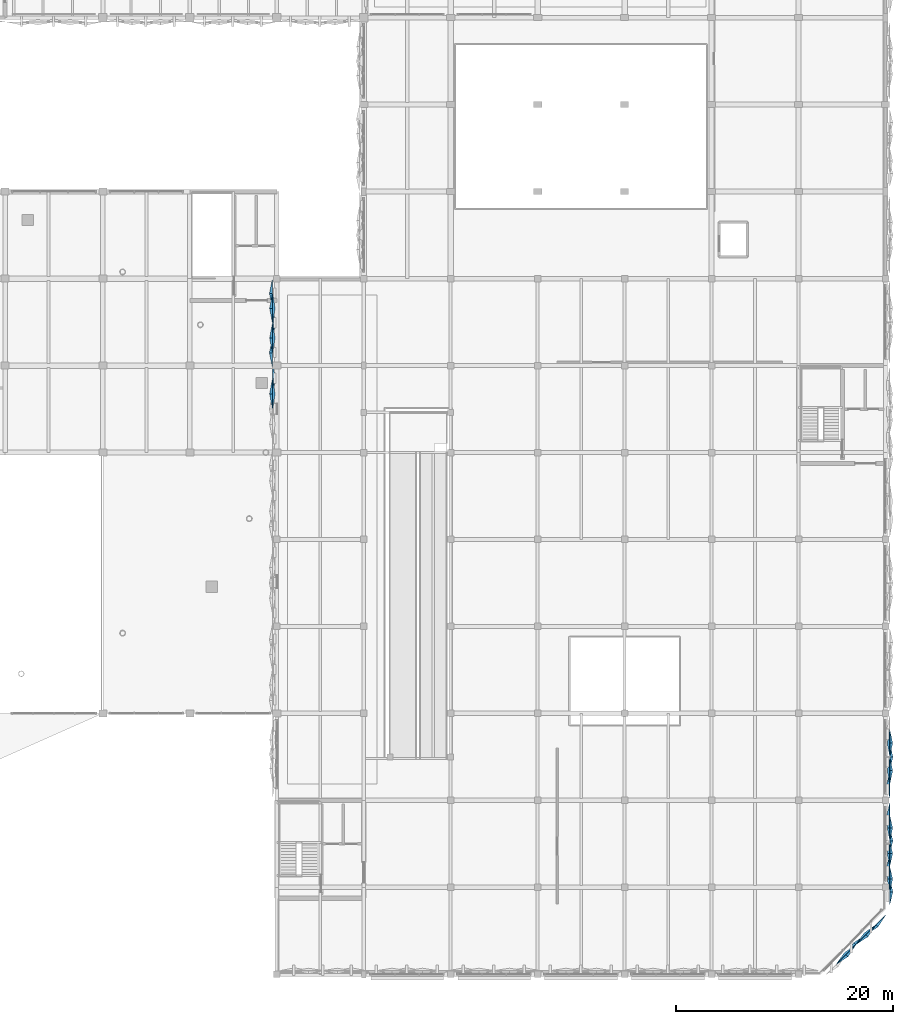
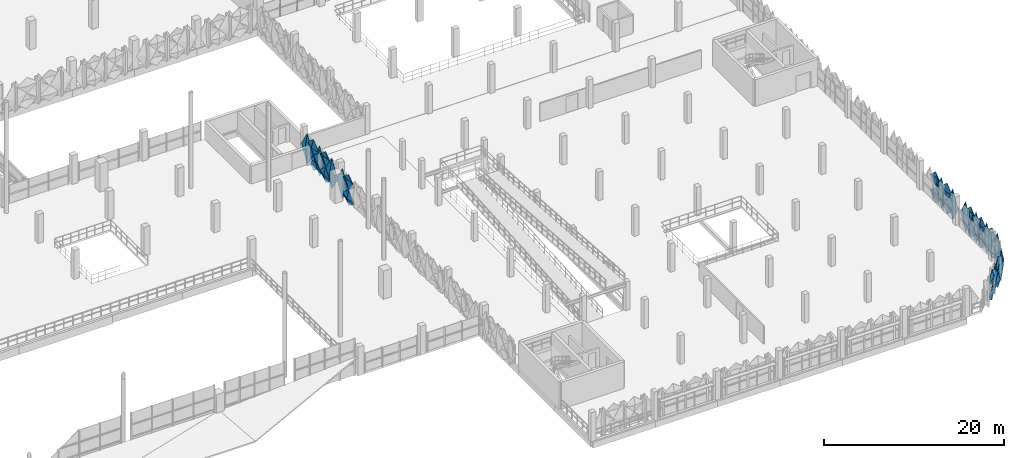
# One storey, part 96 of 123: 32 plates.
"""IFC4 building model written with IfcOpenShell, lengths in metres."""

from ifc_helpers import new_model, si_unit, derived_unit, direction, frame, origin, place, context, subcontext, project, spatial, polygons, material, layer, layer_set, type_object, element, save


model = new_model("IFC4")

# Units and contexts
model_context = context("Model", 3, precision=1e-05, world=origin(), true_north=direction((0.0, 1.0)))
body_context = subcontext(model_context, "Body", "Model", "MODEL_VIEW")
ifc_project = project(units=[si_unit("LENGTHUNIT", "METRE"), si_unit("AREAUNIT", "SQUARE_METRE"), si_unit("VOLUMEUNIT", "CUBIC_METRE"), si_unit("PLANEANGLEUNIT", "RADIAN"), si_unit("MASSUNIT", "GRAM", prefix="KILO"), si_unit("THERMODYNAMICTEMPERATUREUNIT", "KELVIN"), derived_unit("THERMALTRANSMITTANCEUNIT", [(si_unit("POWERUNIT", "WATT"), 1), (si_unit("AREAUNIT", "SQUARE_METRE"), -1), (si_unit("THERMODYNAMICTEMPERATUREUNIT", "KELVIN"), -1)])], contexts=[model_context])

# Site, building, storey
site_placement = place(None, origin())
site = spatial("IfcSite", under=ifc_project, at=site_placement, CompositionType="ELEMENT")
building_placement = place(site_placement, origin())
building = spatial("IfcBuilding", under=site, at=building_placement, Name="Haiyu Intermodal Mobility Hub", CompositionType="ELEMENT")
storey_placement = place(building_placement, frame((0.0, 0.0, 5.60009765625)))
storey = spatial("IfcBuildingStorey", under=building, at=storey_placement, Name="L01", CompositionType="ELEMENT", Elevation=5.60009765625)

# Plates
ifc_material = material(Name="Anodised aluminium 6063-T6", Category="aluminium")
ifc_layer_1 = layer(ifc_material, 0.02001953125)
ifc_layer_set_1 = layer_set([ifc_layer_1], Name="Anodised aluminium 6063-T6")
plate_type_1 = type_object("IfcPlateType", Name="PLT-FC02", PredefinedType="USERDEFINED", material=ifc_layer_set_1)
plate_1_placement = place(storey_placement, origin())
element("IfcPlate", 1, at=plate_1_placement, inside=storey, type_object=plate_type_1, Name="PLT-PYR-1533", ObjectType="FACADE CASSETTE", PredefinedType="USERDEFINED", context=body_context, shape_type="Tessellation", body=[
    polygons([(210.39990234375, 30.625, -0.510009765625), (210.39990234375, 31.780029296875, 1.599853515625), (210.39990234375, 30.625, 3.7099609375), (210.39990234375, 29.469970703125, 1.599853515625), (210.139892578125, 30.625, 1.599853515625), (210.3779296875, 30.625, -0.510009765625), (210.3779296875, 31.780029296875, 1.599853515625), (210.3779296875, 30.625, 3.7099609375), (210.3779296875, 29.469970703125, 1.599853515625), (210.117919921875, 30.625, 1.599853515625)], [[[1, 2, 5]], [[2, 3, 5]], [[3, 4, 5]], [[4, 1, 5]], [[7, 6, 10]], [[8, 7, 10]], [[9, 8, 10]], [[6, 9, 10]], [[1, 6, 7, 2]], [[2, 7, 8, 3]], [[3, 8, 9, 4]], [[4, 9, 6, 1]]], closed=True),
])
ifc_layer_2 = layer(ifc_material, 0.01806640625)
ifc_layer_set_2 = layer_set([ifc_layer_2], Name="Anodised aluminium 6063-T6")
plate_type_2 = type_object("IfcPlateType", Name="PLT-FC03", PredefinedType="USERDEFINED", material=ifc_layer_set_2)
plate_2_placement = place(storey_placement, origin())
element("IfcPlate", 2, at=plate_2_placement, inside=storey, type_object=plate_type_2, Name="PLT-PYR-1462", ObjectType="FACADE CASSETTE", PredefinedType="USERDEFINED", context=body_context, shape_type="Tessellation", body=[
    polygons([(208.199951171875, 19.634033203125, -0.52001953125), (209.10205078125, 20.535888671875, 0.52978515625), (208.199951171875, 19.634033203125, 1.579833984375), (207.297119140625, 18.73095703125, 0.52978515625), (208.383056640625, 19.449951171875, 0.52978515625), (208.18408203125, 19.64892578125, -0.52001953125), (209.0859375, 20.552001953125, 0.52978515625), (208.18408203125, 19.64892578125, 1.579833984375), (207.281005859375, 18.7470703125, 0.52978515625), (208.367919921875, 19.466064453125, 0.52978515625)], [[[1, 2, 5]], [[2, 3, 5]], [[3, 4, 5]], [[4, 1, 5]], [[7, 6, 10]], [[8, 7, 10]], [[9, 8, 10]], [[6, 9, 10]], [[1, 6, 7, 2]], [[2, 7, 8, 3]], [[3, 8, 9, 4]], [[4, 9, 6, 1]]], closed=True),
])
plate_3_placement = place(storey_placement, origin())
element("IfcPlate", 3, at=plate_3_placement, inside=storey, type_object=plate_type_2, Name="PLT-PYR-1524", ObjectType="FACADE CASSETTE", PredefinedType="USERDEFINED", context=body_context, shape_type="Tessellation", body=[
    polygons([(210.39990234375, 23.574951171875, -0.510009765625), (210.39990234375, 24.72998046875, 1.599853515625), (210.39990234375, 23.574951171875, 3.7099609375), (210.39990234375, 22.419921875, 1.599853515625), (210.679931640625, 23.574951171875, 1.599853515625), (210.3779296875, 23.574951171875, -0.510009765625), (210.3779296875, 24.72998046875, 1.599853515625), (210.3779296875, 23.574951171875, 3.7099609375), (210.3779296875, 22.419921875, 1.599853515625), (210.657958984375, 23.574951171875, 1.599853515625)], [[[1, 2, 5]], [[2, 3, 5]], [[3, 4, 5]], [[4, 1, 5]], [[7, 6, 10]], [[8, 7, 10]], [[9, 8, 10]], [[6, 9, 10]], [[1, 6, 7, 2]], [[2, 7, 8, 3]], [[3, 8, 9, 4]], [[4, 9, 6, 1]]], closed=True),
])
plate_4_placement = place(storey_placement, origin())
element("IfcPlate", 4, at=plate_4_placement, inside=storey, type_object=plate_type_2, Name="PLT-PYR-1528", ObjectType="FACADE CASSETTE", PredefinedType="USERDEFINED", context=body_context, shape_type="Tessellation", body=[
    polygons([(210.39990234375, 27.10009765625, -0.52001953125), (210.39990234375, 28.2548828125, 0.52978515625), (210.39990234375, 27.10009765625, 1.579833984375), (210.39990234375, 25.945068359375, 0.52978515625), (210.659912109375, 27.10009765625, 0.52978515625), (210.3779296875, 27.10009765625, -0.52001953125), (210.3779296875, 28.2548828125, 0.52978515625), (210.3779296875, 27.10009765625, 1.579833984375), (210.3779296875, 25.945068359375, 0.52978515625), (210.637939453125, 27.10009765625, 0.52978515625)], [[[1, 2, 5]], [[2, 3, 5]], [[3, 4, 5]], [[4, 1, 5]], [[7, 6, 10]], [[8, 7, 10]], [[9, 8, 10]], [[6, 9, 10]], [[1, 6, 7, 2]], [[2, 7, 8, 3]], [[3, 8, 9, 4]], [[4, 9, 6, 1]]], closed=True),
])
plate_5_placement = place(storey_placement, origin())
element("IfcPlate", 5, at=plate_5_placement, inside=storey, type_object=plate_type_2, Name="PLT-PYR-1535", ObjectType="FACADE CASSETTE", PredefinedType="USERDEFINED", context=body_context, shape_type="Tessellation", body=[
    polygons([(210.39990234375, 34.73291015625, -0.52001953125), (210.39990234375, 35.97998046875, 0.52978515625), (210.39990234375, 34.73291015625, 1.579833984375), (210.39990234375, 33.487060546875, 0.52978515625), (210.659912109375, 34.73291015625, 0.52978515625), (210.3779296875, 34.73291015625, -0.52001953125), (210.3779296875, 35.97998046875, 0.52978515625), (210.3779296875, 34.73291015625, 1.579833984375), (210.3779296875, 33.487060546875, 0.52978515625), (210.637939453125, 34.73291015625, 0.52978515625)], [[[1, 2, 5]], [[2, 3, 5]], [[3, 4, 5]], [[4, 1, 5]], [[7, 6, 10]], [[8, 7, 10]], [[9, 8, 10]], [[6, 9, 10]], [[1, 6, 7, 2]], [[2, 7, 8, 3]], [[3, 8, 9, 4]], [[4, 9, 6, 1]]], closed=True),
])
plate_6_placement = place(storey_placement, origin())
element("IfcPlate", 6, at=plate_6_placement, inside=storey, type_object=plate_type_2, Name="PLT-PYR-1595", ObjectType="FACADE CASSETTE", PredefinedType="USERDEFINED", context=body_context, shape_type="Tessellation", body=[
    polygons([(153.60009765625, 69.39990234375, -0.52001953125), (153.60009765625, 68.02001953125, 0.52978515625), (153.60009765625, 69.39990234375, 1.579833984375), (153.60009765625, 70.780029296875, 0.52978515625), (153.340087890625, 69.39990234375, 0.52978515625), (153.6220703125, 69.39990234375, -0.52001953125), (153.6220703125, 68.02001953125, 0.52978515625), (153.6220703125, 69.39990234375, 1.579833984375), (153.6220703125, 70.780029296875, 0.52978515625), (153.362060546875, 69.39990234375, 0.52978515625)], [[[1, 2, 5]], [[2, 3, 5]], [[3, 4, 5]], [[4, 1, 5]], [[7, 6, 10]], [[8, 7, 10]], [[9, 8, 10]], [[6, 9, 10]], [[1, 6, 7, 2]], [[2, 7, 8, 3]], [[3, 8, 9, 4]], [[4, 9, 6, 1]]], closed=True),
])
plate_7_placement = place(storey_placement, origin())
element("IfcPlate", 7, at=plate_7_placement, inside=storey, type_object=plate_type_2, Name="PLT-PYR-1601", ObjectType="FACADE CASSETTE", PredefinedType="USERDEFINED", context=body_context, shape_type="Tessellation", body=[
    polygons([(153.60009765625, 78.633056640625, -0.510009765625), (153.60009765625, 77.287109375, 1.599853515625), (153.60009765625, 78.633056640625, 3.7099609375), (153.60009765625, 79.97998046875, 1.599853515625), (153.320068359375, 78.633056640625, 1.599853515625), (153.6220703125, 78.633056640625, -0.510009765625), (153.6220703125, 77.287109375, 1.599853515625), (153.6220703125, 78.633056640625, 3.7099609375), (153.6220703125, 79.97998046875, 1.599853515625), (153.342041015625, 78.633056640625, 1.599853515625)], [[[1, 2, 5]], [[2, 3, 5]], [[3, 4, 5]], [[4, 1, 5]], [[7, 6, 10]], [[8, 7, 10]], [[9, 8, 10]], [[6, 9, 10]], [[1, 6, 7, 2]], [[2, 7, 8, 3]], [[3, 8, 9, 4]], [[4, 9, 6, 1]]], closed=True),
])
plate_8_placement = place(storey_placement, origin())
element("IfcPlate", 8, at=plate_8_placement, inside=storey, type_object=plate_type_2, Name="PLT-PYR-1605", ObjectType="FACADE CASSETTE", PredefinedType="USERDEFINED", context=body_context, shape_type="Tessellation", body=[
    polygons([(153.60009765625, 74.532958984375, -0.52001953125), (153.60009765625, 73.18701171875, 0.52978515625), (153.60009765625, 74.532958984375, 1.579833984375), (153.60009765625, 75.8798828125, 0.52978515625), (153.340087890625, 74.532958984375, 0.52978515625), (153.6220703125, 74.532958984375, -0.52001953125), (153.6220703125, 73.18701171875, 0.52978515625), (153.6220703125, 74.532958984375, 1.579833984375), (153.6220703125, 75.8798828125, 0.52978515625), (153.362060546875, 74.532958984375, 0.52978515625)], [[[1, 2, 5]], [[2, 3, 5]], [[3, 4, 5]], [[4, 1, 5]], [[7, 6, 10]], [[8, 7, 10]], [[9, 8, 10]], [[6, 9, 10]], [[1, 6, 7, 2]], [[2, 7, 8, 3]], [[3, 8, 9, 4]], [[4, 9, 6, 1]]], closed=True),
])
ifc_layer_3 = layer(ifc_material, 0.02001953125)
ifc_layer_set_3 = layer_set([ifc_layer_3], Name="Anodised aluminium 6063-T6")
plate_type_3 = type_object("IfcPlateType", Name="PLT-FC04", PredefinedType="USERDEFINED", material=ifc_layer_set_3)
plate_9_placement = place(storey_placement, origin())
element("IfcPlate", 9, at=plate_9_placement, inside=storey, type_object=plate_type_3, Name="PLT-PYR-1459", ObjectType="FACADE CASSETTE", PredefinedType="USERDEFINED", context=body_context, shape_type="Tessellation", body=[
    polygons([(206.365966796875, 17.800048828125, -0.52001953125), (207.26904296875, 18.702880859375, 0.52978515625), (206.365966796875, 17.800048828125, 1.579833984375), (205.464111328125, 16.89794921875, 0.52978515625), (206.2109375, 17.9560546875, 0.52978515625), (206.35107421875, 17.81591796875, -0.52001953125), (207.2529296875, 18.718994140625, 0.52978515625), (206.35107421875, 17.81591796875, 1.579833984375), (205.447998046875, 16.9140625, 0.52978515625), (206.195068359375, 17.971923828125, 0.52978515625)], [[[1, 2, 5]], [[2, 3, 5]], [[3, 4, 5]], [[4, 1, 5]], [[7, 6, 10]], [[8, 7, 10]], [[9, 8, 10]], [[6, 9, 10]], [[1, 6, 7, 2]], [[2, 7, 8, 3]], [[3, 8, 9, 4]], [[4, 9, 6, 1]]], closed=True),
])
plate_10_placement = place(storey_placement, origin())
element("IfcPlate", 10, at=plate_10_placement, inside=storey, type_object=plate_type_3, Name="PLT-PYR-1525", ObjectType="FACADE CASSETTE", PredefinedType="USERDEFINED", context=body_context, shape_type="Tessellation", body=[
    polygons([(210.39990234375, 24.75, -0.52001953125), (210.39990234375, 25.905029296875, 0.52978515625), (210.39990234375, 24.75, 1.579833984375), (210.39990234375, 23.594970703125, 0.52978515625), (210.179931640625, 24.75, 0.52978515625), (210.3779296875, 24.75, -0.52001953125), (210.3779296875, 25.905029296875, 0.52978515625), (210.3779296875, 24.75, 1.579833984375), (210.3779296875, 23.594970703125, 0.52978515625), (210.157958984375, 24.75, 0.52978515625)], [[[1, 2, 5]], [[2, 3, 5]], [[3, 4, 5]], [[4, 1, 5]], [[7, 6, 10]], [[8, 7, 10]], [[9, 8, 10]], [[6, 9, 10]], [[1, 6, 7, 2]], [[2, 7, 8, 3]], [[3, 8, 9, 4]], [[4, 9, 6, 1]]], closed=True),
])
plate_11_placement = place(storey_placement, origin())
element("IfcPlate", 11, at=plate_11_placement, inside=storey, type_object=plate_type_3, Name="PLT-PYR-1531", ObjectType="FACADE CASSETTE", PredefinedType="USERDEFINED", context=body_context, shape_type="Tessellation", body=[
    polygons([(210.39990234375, 29.449951171875, -0.52001953125), (210.39990234375, 30.60498046875, 0.52978515625), (210.39990234375, 29.449951171875, 1.579833984375), (210.39990234375, 28.294921875, 0.52978515625), (210.179931640625, 29.449951171875, 0.52978515625), (210.3779296875, 29.449951171875, -0.52001953125), (210.3779296875, 30.60498046875, 0.52978515625), (210.3779296875, 29.449951171875, 1.579833984375), (210.3779296875, 28.294921875, 0.52978515625), (210.157958984375, 29.449951171875, 0.52978515625)], [[[1, 2, 5]], [[2, 3, 5]], [[3, 4, 5]], [[4, 1, 5]], [[7, 6, 10]], [[8, 7, 10]], [[9, 8, 10]], [[6, 9, 10]], [[1, 6, 7, 2]], [[2, 7, 8, 3]], [[3, 8, 9, 4]], [[4, 9, 6, 1]]], closed=True),
])
plate_12_placement = place(storey_placement, origin())
element("IfcPlate", 12, at=plate_12_placement, inside=storey, type_object=plate_type_3, Name="PLT-PYR-1534", ObjectType="FACADE CASSETTE", PredefinedType="USERDEFINED", context=body_context, shape_type="Tessellation", body=[
    polygons([(210.39990234375, 33.467041015625, -0.510009765625), (210.39990234375, 34.712890625, 1.599853515625), (210.39990234375, 33.467041015625, 3.7099609375), (210.39990234375, 32.219970703125, 1.599853515625), (210.139892578125, 33.467041015625, 1.599853515625), (210.3779296875, 33.467041015625, -0.510009765625), (210.3779296875, 34.712890625, 1.599853515625), (210.3779296875, 33.467041015625, 3.7099609375), (210.3779296875, 32.219970703125, 1.599853515625), (210.117919921875, 33.467041015625, 1.599853515625)], [[[1, 2, 5]], [[2, 3, 5]], [[3, 4, 5]], [[4, 1, 5]], [[7, 6, 10]], [[8, 7, 10]], [[9, 8, 10]], [[6, 9, 10]], [[1, 6, 7, 2]], [[2, 7, 8, 3]], [[3, 8, 9, 4]], [[4, 9, 6, 1]]], closed=True),
])
plate_13_placement = place(storey_placement, origin())
element("IfcPlate", 13, at=plate_13_placement, inside=storey, type_object=plate_type_3, Name="PLT-PYR-1538", ObjectType="FACADE CASSETTE", PredefinedType="USERDEFINED", context=body_context, shape_type="Tessellation", body=[
    polygons([(210.39990234375, 37.26708984375, -0.52001953125), (210.39990234375, 38.512939453125, 0.52978515625), (210.39990234375, 37.26708984375, 1.579833984375), (210.39990234375, 36.02001953125, 0.52978515625), (210.179931640625, 37.26708984375, 0.52978515625), (210.3779296875, 37.26708984375, -0.52001953125), (210.3779296875, 38.512939453125, 0.52978515625), (210.3779296875, 37.26708984375, 1.579833984375), (210.3779296875, 36.02001953125, 0.52978515625), (210.157958984375, 37.26708984375, 0.52978515625)], [[[1, 2, 5]], [[2, 3, 5]], [[3, 4, 5]], [[4, 1, 5]], [[7, 6, 10]], [[8, 7, 10]], [[9, 8, 10]], [[6, 9, 10]], [[1, 6, 7, 2]], [[2, 7, 8, 3]], [[3, 8, 9, 4]], [[4, 9, 6, 1]]], closed=True),
])
plate_14_placement = place(storey_placement, origin())
element("IfcPlate", 14, at=plate_14_placement, inside=storey, type_object=plate_type_3, Name="PLT-PYR-1594", ObjectType="FACADE CASSETTE", PredefinedType="USERDEFINED", context=body_context, shape_type="Tessellation", body=[
    polygons([(153.60009765625, 70.800048828125, -0.510009765625), (153.60009765625, 69.419921875, 1.599853515625), (153.60009765625, 70.800048828125, 3.7099609375), (153.60009765625, 72.179931640625, 1.599853515625), (153.860107421875, 70.800048828125, 1.599853515625), (153.6220703125, 70.800048828125, -0.510009765625), (153.6220703125, 69.419921875, 1.599853515625), (153.6220703125, 70.800048828125, 3.7099609375), (153.6220703125, 72.179931640625, 1.599853515625), (153.882080078125, 70.800048828125, 1.599853515625)], [[[1, 2, 5]], [[2, 3, 5]], [[3, 4, 5]], [[4, 1, 5]], [[7, 6, 10]], [[8, 7, 10]], [[9, 8, 10]], [[6, 9, 10]], [[1, 6, 7, 2]], [[2, 7, 8, 3]], [[3, 8, 9, 4]], [[4, 9, 6, 1]]], closed=True),
])
plate_15_placement = place(storey_placement, origin())
element("IfcPlate", 15, at=plate_15_placement, inside=storey, type_object=plate_type_3, Name="PLT-PYR-1602", ObjectType="FACADE CASSETTE", PredefinedType="USERDEFINED", context=body_context, shape_type="Tessellation", body=[
    polygons([(153.60009765625, 77.26708984375, -0.52001953125), (153.60009765625, 75.919921875, 0.52978515625), (153.60009765625, 77.26708984375, 1.579833984375), (153.60009765625, 78.613037109375, 0.52978515625), (153.820068359375, 77.26708984375, 0.52978515625), (153.6220703125, 77.26708984375, -0.52001953125), (153.6220703125, 75.919921875, 0.52978515625), (153.6220703125, 77.26708984375, 1.579833984375), (153.6220703125, 78.613037109375, 0.52978515625), (153.842041015625, 77.26708984375, 0.52978515625)], [[[1, 2, 5]], [[2, 3, 5]], [[3, 4, 5]], [[4, 1, 5]], [[7, 6, 10]], [[8, 7, 10]], [[9, 8, 10]], [[6, 9, 10]], [[1, 6, 7, 2]], [[2, 7, 8, 3]], [[3, 8, 9, 4]], [[4, 9, 6, 1]]], closed=True),
])
ifc_layer_4 = layer(ifc_material, 0.01806640625)
ifc_layer_set_4 = layer_set([ifc_layer_4], Name="Anodised aluminium 6063-T6")
plate_type_4 = type_object("IfcPlateType", Name="PLT-FC05", PredefinedType="USERDEFINED", material=ifc_layer_set_4)
plate_16_placement = place(storey_placement, origin())
element("IfcPlate", 16, at=plate_16_placement, inside=storey, type_object=plate_type_4, Name="PLT-PYR-1460", ObjectType="FACADE CASSETTE", PredefinedType="USERDEFINED", context=body_context, shape_type="Tessellation", body=[
    polygons([(206.365966796875, 17.800048828125, 1.619873046875), (207.26904296875, 18.702880859375, 2.669921875), (206.365966796875, 17.800048828125, 3.719970703125), (205.464111328125, 16.89794921875, 2.669921875), (206.550048828125, 17.616943359375, 2.669921875), (206.35107421875, 17.81591796875, 1.619873046875), (207.2529296875, 18.718994140625, 2.669921875), (206.35107421875, 17.81591796875, 3.719970703125), (205.447998046875, 16.9140625, 2.669921875), (206.533935546875, 17.632080078125, 2.669921875)], [[[1, 2, 5]], [[2, 3, 5]], [[3, 4, 5]], [[4, 1, 5]], [[7, 6, 10]], [[8, 7, 10]], [[9, 8, 10]], [[6, 9, 10]], [[1, 6, 7, 2]], [[2, 7, 8, 3]], [[3, 8, 9, 4]], [[4, 9, 6, 1]]], closed=True),
])
plate_17_placement = place(storey_placement, origin())
element("IfcPlate", 17, at=plate_17_placement, inside=storey, type_object=plate_type_4, Name="PLT-PYR-1526", ObjectType="FACADE CASSETTE", PredefinedType="USERDEFINED", context=body_context, shape_type="Tessellation", body=[
    polygons([(210.39990234375, 24.75, 1.619873046875), (210.39990234375, 25.905029296875, 2.669921875), (210.39990234375, 24.75, 3.719970703125), (210.39990234375, 23.594970703125, 2.669921875), (210.659912109375, 24.75, 2.669921875), (210.3779296875, 24.75, 1.619873046875), (210.3779296875, 25.905029296875, 2.669921875), (210.3779296875, 24.75, 3.719970703125), (210.3779296875, 23.594970703125, 2.669921875), (210.637939453125, 24.75, 2.669921875)], [[[1, 2, 5]], [[2, 3, 5]], [[3, 4, 5]], [[4, 1, 5]], [[7, 6, 10]], [[8, 7, 10]], [[9, 8, 10]], [[6, 9, 10]], [[1, 6, 7, 2]], [[2, 7, 8, 3]], [[3, 8, 9, 4]], [[4, 9, 6, 1]]], closed=True),
])
plate_18_placement = place(storey_placement, origin())
element("IfcPlate", 18, at=plate_18_placement, inside=storey, type_object=plate_type_4, Name="PLT-PYR-1532", ObjectType="FACADE CASSETTE", PredefinedType="USERDEFINED", context=body_context, shape_type="Tessellation", body=[
    polygons([(210.39990234375, 29.449951171875, 1.619873046875), (210.39990234375, 30.60498046875, 2.669921875), (210.39990234375, 29.449951171875, 3.719970703125), (210.39990234375, 28.294921875, 2.669921875), (210.659912109375, 29.449951171875, 2.669921875), (210.3779296875, 29.449951171875, 1.619873046875), (210.3779296875, 30.60498046875, 2.669921875), (210.3779296875, 29.449951171875, 3.719970703125), (210.3779296875, 28.294921875, 2.669921875), (210.637939453125, 29.449951171875, 2.669921875)], [[[1, 2, 5]], [[2, 3, 5]], [[3, 4, 5]], [[4, 1, 5]], [[7, 6, 10]], [[8, 7, 10]], [[9, 8, 10]], [[6, 9, 10]], [[1, 6, 7, 2]], [[2, 7, 8, 3]], [[3, 8, 9, 4]], [[4, 9, 6, 1]]], closed=True),
])
plate_19_placement = place(storey_placement, origin())
element("IfcPlate", 19, at=plate_19_placement, inside=storey, type_object=plate_type_4, Name="PLT-PYR-1537", ObjectType="FACADE CASSETTE", PredefinedType="USERDEFINED", context=body_context, shape_type="Tessellation", body=[
    polygons([(210.39990234375, 36.0, -0.510009765625), (210.39990234375, 37.2470703125, 1.599853515625), (210.39990234375, 36.0, 3.7099609375), (210.39990234375, 34.7529296875, 1.599853515625), (210.679931640625, 36.0, 1.599853515625), (210.3779296875, 36.0, -0.510009765625), (210.3779296875, 37.2470703125, 1.599853515625), (210.3779296875, 36.0, 3.7099609375), (210.3779296875, 34.7529296875, 1.599853515625), (210.657958984375, 36.0, 1.599853515625)], [[[1, 2, 5]], [[2, 3, 5]], [[3, 4, 5]], [[4, 1, 5]], [[7, 6, 10]], [[8, 7, 10]], [[9, 8, 10]], [[6, 9, 10]], [[1, 6, 7, 2]], [[2, 7, 8, 3]], [[3, 8, 9, 4]], [[4, 9, 6, 1]]], closed=True),
])
plate_20_placement = place(storey_placement, origin())
element("IfcPlate", 20, at=plate_20_placement, inside=storey, type_object=plate_type_4, Name="PLT-PYR-1539", ObjectType="FACADE CASSETTE", PredefinedType="USERDEFINED", context=body_context, shape_type="Tessellation", body=[
    polygons([(210.39990234375, 37.26708984375, 1.619873046875), (210.39990234375, 38.512939453125, 2.669921875), (210.39990234375, 37.26708984375, 3.719970703125), (210.39990234375, 36.02001953125, 2.669921875), (210.659912109375, 37.26708984375, 2.669921875), (210.3779296875, 37.26708984375, 1.619873046875), (210.3779296875, 38.512939453125, 2.669921875), (210.3779296875, 37.26708984375, 3.719970703125), (210.3779296875, 36.02001953125, 2.669921875), (210.637939453125, 37.26708984375, 2.669921875)], [[[1, 2, 5]], [[2, 3, 5]], [[3, 4, 5]], [[4, 1, 5]], [[7, 6, 10]], [[8, 7, 10]], [[9, 8, 10]], [[6, 9, 10]], [[1, 6, 7, 2]], [[2, 7, 8, 3]], [[3, 8, 9, 4]], [[4, 9, 6, 1]]], closed=True),
])
plate_21_placement = place(storey_placement, origin())
element("IfcPlate", 21, at=plate_21_placement, inside=storey, type_object=plate_type_4, Name="PLT-PYR-1603", ObjectType="FACADE CASSETTE", PredefinedType="USERDEFINED", context=body_context, shape_type="Tessellation", body=[
    polygons([(153.60009765625, 77.26708984375, 1.619873046875), (153.60009765625, 75.919921875, 2.669921875), (153.60009765625, 77.26708984375, 3.719970703125), (153.60009765625, 78.613037109375, 2.669921875), (153.340087890625, 77.26708984375, 2.669921875), (153.6220703125, 77.26708984375, 1.619873046875), (153.6220703125, 75.919921875, 2.669921875), (153.6220703125, 77.26708984375, 3.719970703125), (153.6220703125, 78.613037109375, 2.669921875), (153.362060546875, 77.26708984375, 2.669921875)], [[[1, 2, 5]], [[2, 3, 5]], [[3, 4, 5]], [[4, 1, 5]], [[7, 6, 10]], [[8, 7, 10]], [[9, 8, 10]], [[6, 9, 10]], [[1, 6, 7, 2]], [[2, 7, 8, 3]], [[3, 8, 9, 4]], [[4, 9, 6, 1]]], closed=True),
])
ifc_layer_5 = layer(ifc_material, 0.02001953125)
ifc_layer_set_5 = layer_set([ifc_layer_5], Name="Anodised aluminium 6063-T6")
plate_type_5 = type_object("IfcPlateType", Name="PLT-FC06", PredefinedType="USERDEFINED", material=ifc_layer_set_5)
plate_22_placement = place(storey_placement, origin())
element("IfcPlate", 22, at=plate_22_placement, inside=storey, type_object=plate_type_5, Name="PLT-PYR-1461", ObjectType="FACADE CASSETTE", PredefinedType="USERDEFINED", context=body_context, shape_type="Tessellation", body=[
    polygons([(207.282958984375, 18.717041015625, -0.510009765625), (208.18505859375, 19.6201171875, 1.599853515625), (207.282958984375, 18.717041015625, 3.7099609375), (206.3798828125, 17.81494140625, 1.599853515625), (207.09912109375, 18.90087890625, 1.599853515625), (207.26708984375, 18.73291015625, -0.510009765625), (208.169921875, 19.635009765625, 1.599853515625), (207.26708984375, 18.73291015625, 3.7099609375), (206.364990234375, 17.830078125, 1.599853515625), (207.0830078125, 18.9169921875, 1.599853515625)], [[[1, 2, 5]], [[2, 3, 5]], [[3, 4, 5]], [[4, 1, 5]], [[7, 6, 10]], [[8, 7, 10]], [[9, 8, 10]], [[6, 9, 10]], [[1, 6, 7, 2]], [[2, 7, 8, 3]], [[3, 8, 9, 4]], [[4, 9, 6, 1]]], closed=True),
])
plate_23_placement = place(storey_placement, origin())
element("IfcPlate", 23, at=plate_23_placement, inside=storey, type_object=plate_type_5, Name="PLT-PYR-1463", ObjectType="FACADE CASSETTE", PredefinedType="USERDEFINED", context=body_context, shape_type="Tessellation", body=[
    polygons([(208.199951171875, 19.634033203125, 1.619873046875), (209.10205078125, 20.535888671875, 2.669921875), (208.199951171875, 19.634033203125, 3.719970703125), (207.297119140625, 18.73095703125, 2.669921875), (208.0439453125, 19.7890625, 2.669921875), (208.18408203125, 19.64892578125, 1.619873046875), (209.0859375, 20.552001953125, 2.669921875), (208.18408203125, 19.64892578125, 3.719970703125), (207.281005859375, 18.7470703125, 2.669921875), (208.028076171875, 19.804931640625, 2.669921875)], [[[1, 2, 5]], [[2, 3, 5]], [[3, 4, 5]], [[4, 1, 5]], [[7, 6, 10]], [[8, 7, 10]], [[9, 8, 10]], [[6, 9, 10]], [[1, 6, 7, 2]], [[2, 7, 8, 3]], [[3, 8, 9, 4]], [[4, 9, 6, 1]]], closed=True),
])
plate_24_placement = place(storey_placement, origin())
element("IfcPlate", 24, at=plate_24_placement, inside=storey, type_object=plate_type_5, Name="PLT-PYR-1527", ObjectType="FACADE CASSETTE", PredefinedType="USERDEFINED", context=body_context, shape_type="Tessellation", body=[
    polygons([(210.39990234375, 25.925048828125, -0.510009765625), (210.39990234375, 27.080078125, 1.599853515625), (210.39990234375, 25.925048828125, 3.7099609375), (210.39990234375, 24.77001953125, 1.599853515625), (210.139892578125, 25.925048828125, 1.599853515625), (210.3779296875, 25.925048828125, -0.510009765625), (210.3779296875, 27.080078125, 1.599853515625), (210.3779296875, 25.925048828125, 3.7099609375), (210.3779296875, 24.77001953125, 1.599853515625), (210.117919921875, 25.925048828125, 1.599853515625)], [[[1, 2, 5]], [[2, 3, 5]], [[3, 4, 5]], [[4, 1, 5]], [[7, 6, 10]], [[8, 7, 10]], [[9, 8, 10]], [[6, 9, 10]], [[1, 6, 7, 2]], [[2, 7, 8, 3]], [[3, 8, 9, 4]], [[4, 9, 6, 1]]], closed=True),
])
plate_25_placement = place(storey_placement, origin())
element("IfcPlate", 25, at=plate_25_placement, inside=storey, type_object=plate_type_5, Name="PLT-PYR-1529", ObjectType="FACADE CASSETTE", PredefinedType="USERDEFINED", context=body_context, shape_type="Tessellation", body=[
    polygons([(210.39990234375, 27.10009765625, 1.619873046875), (210.39990234375, 28.2548828125, 2.669921875), (210.39990234375, 27.10009765625, 3.719970703125), (210.39990234375, 25.945068359375, 2.669921875), (210.179931640625, 27.10009765625, 2.669921875), (210.3779296875, 27.10009765625, 1.619873046875), (210.3779296875, 28.2548828125, 2.669921875), (210.3779296875, 27.10009765625, 3.719970703125), (210.3779296875, 25.945068359375, 2.669921875), (210.157958984375, 27.10009765625, 2.669921875)], [[[1, 2, 5]], [[2, 3, 5]], [[3, 4, 5]], [[4, 1, 5]], [[7, 6, 10]], [[8, 7, 10]], [[9, 8, 10]], [[6, 9, 10]], [[1, 6, 7, 2]], [[2, 7, 8, 3]], [[3, 8, 9, 4]], [[4, 9, 6, 1]]], closed=True),
])
plate_26_placement = place(storey_placement, origin())
element("IfcPlate", 26, at=plate_26_placement, inside=storey, type_object=plate_type_5, Name="PLT-PYR-1536", ObjectType="FACADE CASSETTE", PredefinedType="USERDEFINED", context=body_context, shape_type="Tessellation", body=[
    polygons([(210.39990234375, 34.73291015625, 1.619873046875), (210.39990234375, 35.97998046875, 2.669921875), (210.39990234375, 34.73291015625, 3.719970703125), (210.39990234375, 33.487060546875, 2.669921875), (210.179931640625, 34.73291015625, 2.669921875), (210.3779296875, 34.73291015625, 1.619873046875), (210.3779296875, 35.97998046875, 2.669921875), (210.3779296875, 34.73291015625, 3.719970703125), (210.3779296875, 33.487060546875, 2.669921875), (210.157958984375, 34.73291015625, 2.669921875)], [[[1, 2, 5]], [[2, 3, 5]], [[3, 4, 5]], [[4, 1, 5]], [[7, 6, 10]], [[8, 7, 10]], [[9, 8, 10]], [[6, 9, 10]], [[1, 6, 7, 2]], [[2, 7, 8, 3]], [[3, 8, 9, 4]], [[4, 9, 6, 1]]], closed=True),
])
plate_27_placement = place(storey_placement, origin())
element("IfcPlate", 27, at=plate_27_placement, inside=storey, type_object=plate_type_5, Name="PLT-PYR-1596", ObjectType="FACADE CASSETTE", PredefinedType="USERDEFINED", context=body_context, shape_type="Tessellation", body=[
    polygons([(153.60009765625, 69.39990234375, 1.619873046875), (153.60009765625, 68.02001953125, 2.669921875), (153.60009765625, 69.39990234375, 3.719970703125), (153.60009765625, 70.780029296875, 2.669921875), (153.820068359375, 69.39990234375, 2.669921875), (153.6220703125, 69.39990234375, 1.619873046875), (153.6220703125, 68.02001953125, 2.669921875), (153.6220703125, 69.39990234375, 3.719970703125), (153.6220703125, 70.780029296875, 2.669921875), (153.842041015625, 69.39990234375, 2.669921875)], [[[1, 2, 5]], [[2, 3, 5]], [[3, 4, 5]], [[4, 1, 5]], [[7, 6, 10]], [[8, 7, 10]], [[9, 8, 10]], [[6, 9, 10]], [[1, 6, 7, 2]], [[2, 7, 8, 3]], [[3, 8, 9, 4]], [[4, 9, 6, 1]]], closed=True),
])
plate_28_placement = place(storey_placement, origin())
element("IfcPlate", 28, at=plate_28_placement, inside=storey, type_object=plate_type_5, Name="PLT-PYR-1604", ObjectType="FACADE CASSETTE", PredefinedType="USERDEFINED", context=body_context, shape_type="Tessellation", body=[
    polygons([(153.60009765625, 75.89990234375, -0.510009765625), (153.60009765625, 74.552978515625, 1.599853515625), (153.60009765625, 75.89990234375, 3.7099609375), (153.60009765625, 77.2470703125, 1.599853515625), (153.860107421875, 75.89990234375, 1.599853515625), (153.6220703125, 75.89990234375, -0.510009765625), (153.6220703125, 74.552978515625, 1.599853515625), (153.6220703125, 75.89990234375, 3.7099609375), (153.6220703125, 77.2470703125, 1.599853515625), (153.882080078125, 75.89990234375, 1.599853515625)], [[[1, 2, 5]], [[2, 3, 5]], [[3, 4, 5]], [[4, 1, 5]], [[7, 6, 10]], [[8, 7, 10]], [[9, 8, 10]], [[6, 9, 10]], [[1, 6, 7, 2]], [[2, 7, 8, 3]], [[3, 8, 9, 4]], [[4, 9, 6, 1]]], closed=True),
])
plate_29_placement = place(storey_placement, origin())
element("IfcPlate", 29, at=plate_29_placement, inside=storey, type_object=plate_type_5, Name="PLT-PYR-1606", ObjectType="FACADE CASSETTE", PredefinedType="USERDEFINED", context=body_context, shape_type="Tessellation", body=[
    polygons([(153.60009765625, 74.532958984375, 1.619873046875), (153.60009765625, 73.18701171875, 2.669921875), (153.60009765625, 74.532958984375, 3.719970703125), (153.60009765625, 75.8798828125, 2.669921875), (153.820068359375, 74.532958984375, 2.669921875), (153.6220703125, 74.532958984375, 1.619873046875), (153.6220703125, 73.18701171875, 2.669921875), (153.6220703125, 74.532958984375, 3.719970703125), (153.6220703125, 75.8798828125, 2.669921875), (153.842041015625, 74.532958984375, 2.669921875)], [[[1, 2, 5]], [[2, 3, 5]], [[3, 4, 5]], [[4, 1, 5]], [[7, 6, 10]], [[8, 7, 10]], [[9, 8, 10]], [[6, 9, 10]], [[1, 6, 7, 2]], [[2, 7, 8, 3]], [[3, 8, 9, 4]], [[4, 9, 6, 1]]], closed=True),
])
ifc_layer_6 = layer(ifc_material, 0.02197265625)
ifc_layer_set_6 = layer_set([ifc_layer_6], Name="Anodised aluminium 6063-T6")
plate_type_6 = type_object("IfcPlateType", Name="PLT-FC07", PredefinedType="USERDEFINED", material=ifc_layer_set_6)
plate_30_placement = place(storey_placement, origin())
element("IfcPlate", 30, at=plate_30_placement, inside=storey, type_object=plate_type_6, Name="PLT-PYR-1464", ObjectType="FACADE CASSETTE", PredefinedType="USERDEFINED", context=body_context, shape_type="Tessellation", body=[
    polygons([(209.115966796875, 20.550048828125, -0.510009765625), (210.01904296875, 21.452880859375, 1.599853515625), (209.115966796875, 20.550048828125, 3.7099609375), (208.214111328125, 19.64794921875, 1.599853515625), (209.31396484375, 20.35302734375, 1.599853515625), (209.10107421875, 20.56591796875, -0.510009765625), (210.0029296875, 21.468994140625, 1.599853515625), (209.10107421875, 20.56591796875, 3.7099609375), (208.197998046875, 19.6640625, 1.599853515625), (209.299072265625, 20.367919921875, 1.599853515625)], [[[1, 2, 5]], [[2, 3, 5]], [[3, 4, 5]], [[4, 1, 5]], [[7, 6, 10]], [[8, 7, 10]], [[9, 8, 10]], [[6, 9, 10]], [[1, 6, 7, 2]], [[2, 7, 8, 3]], [[3, 8, 9, 4]], [[4, 9, 6, 1]]], closed=True),
])
plate_31_placement = place(storey_placement, origin())
element("IfcPlate", 31, at=plate_31_placement, inside=storey, type_object=plate_type_6, Name="PLT-PYR-1530", ObjectType="FACADE CASSETTE", PredefinedType="USERDEFINED", context=body_context, shape_type="Tessellation", body=[
    polygons([(210.39990234375, 28.27490234375, -0.510009765625), (210.39990234375, 29.429931640625, 1.599853515625), (210.39990234375, 28.27490234375, 3.7099609375), (210.39990234375, 27.1201171875, 1.599853515625), (210.679931640625, 28.27490234375, 1.599853515625), (210.3779296875, 28.27490234375, -0.510009765625), (210.3779296875, 29.429931640625, 1.599853515625), (210.3779296875, 28.27490234375, 3.7099609375), (210.3779296875, 27.1201171875, 1.599853515625), (210.657958984375, 28.27490234375, 1.599853515625)], [[[1, 2, 5]], [[2, 3, 5]], [[3, 4, 5]], [[4, 1, 5]], [[7, 6, 10]], [[8, 7, 10]], [[9, 8, 10]], [[6, 9, 10]], [[1, 6, 7, 2]], [[2, 7, 8, 3]], [[3, 8, 9, 4]], [[4, 9, 6, 1]]], closed=True),
])
plate_32_placement = place(storey_placement, origin())
element("IfcPlate", 32, at=plate_32_placement, inside=storey, type_object=plate_type_6, Name="PLT-PYR-1607", ObjectType="FACADE CASSETTE", PredefinedType="USERDEFINED", context=body_context, shape_type="Tessellation", body=[
    polygons([(153.60009765625, 73.1669921875, -0.510009765625), (153.60009765625, 71.820068359375, 1.599853515625), (153.60009765625, 73.1669921875, 3.7099609375), (153.60009765625, 74.512939453125, 1.599853515625), (153.320068359375, 73.1669921875, 1.599853515625), (153.6220703125, 73.1669921875, -0.510009765625), (153.6220703125, 71.820068359375, 1.599853515625), (153.6220703125, 73.1669921875, 3.7099609375), (153.6220703125, 74.512939453125, 1.599853515625), (153.342041015625, 73.1669921875, 1.599853515625)], [[[1, 2, 5]], [[2, 3, 5]], [[3, 4, 5]], [[4, 1, 5]], [[7, 6, 10]], [[8, 7, 10]], [[9, 8, 10]], [[6, 9, 10]], [[1, 6, 7, 2]], [[2, 7, 8, 3]], [[3, 8, 9, 4]], [[4, 9, 6, 1]]], closed=True),
])

save(model, "model.ifc")
